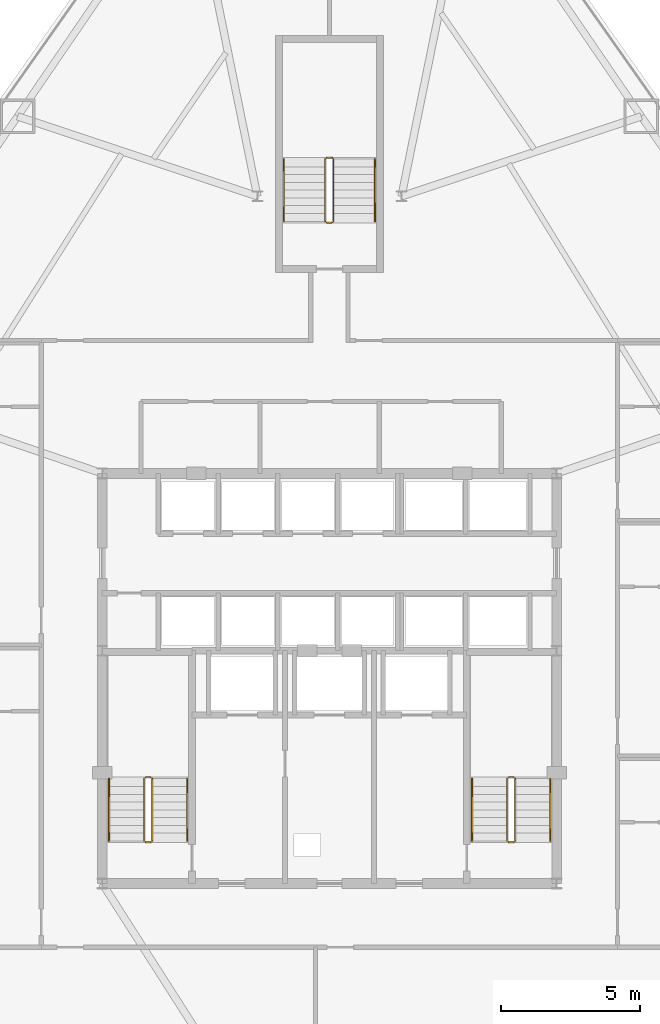
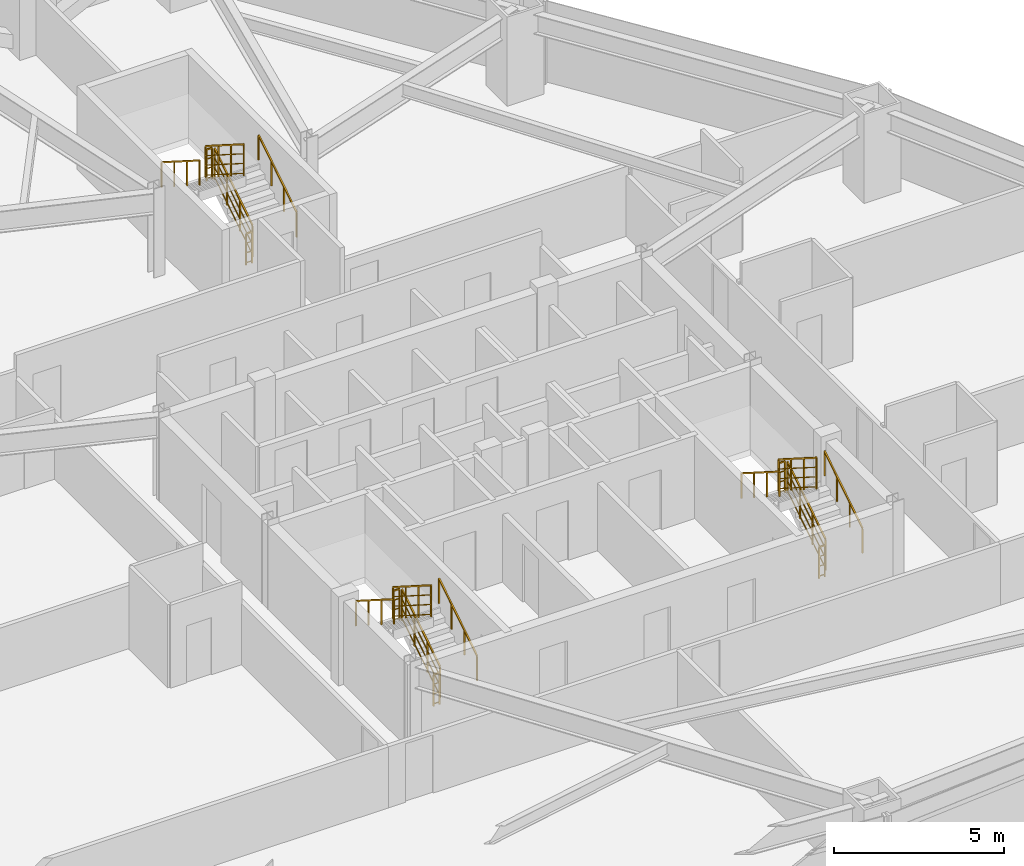
# One storey, part 12 of 12: 18 railings.
"""IFC4 building model written with IfcOpenShell, lengths in metres."""

from ifc_helpers import new_model, si_unit, direction, frame, origin, origin_2d, place, context, subcontext, project, spatial, rectangle, extrude, material, type_object, element, save


model = new_model("IFC4")

# Units and contexts
model_context = context("Model", 3, precision=1e-05, world=origin(), true_north=direction((0.0, 1.0)))
body_context = subcontext(model_context, "Body", "Model", "MODEL_VIEW")
ifc_project = project(units=[si_unit("LENGTHUNIT", "METRE"), si_unit("AREAUNIT", "SQUARE_METRE"), si_unit("VOLUMEUNIT", "CUBIC_METRE"), si_unit("PLANEANGLEUNIT", "RADIAN"), si_unit("MASSUNIT", "GRAM", prefix="KILO")], contexts=[model_context])

# Site, building, storey
site_placement = place(None, origin())
site = spatial("IfcSite", under=ifc_project, at=site_placement, CompositionType="ELEMENT")
building_placement = place(site_placement, origin())
building = spatial("IfcBuilding", under=site, at=building_placement, Name="Varakhsha Concourse Tower", CompositionType="ELEMENT")
storey_placement = place(building_placement, frame((0.0, 0.0, 43.199951171875)))
storey = spatial("IfcBuildingStorey", under=building, at=storey_placement, Name="L11", CompositionType="ELEMENT", Elevation=43.199951171875)

# Railings
ifc_material = material(Name="Brushed Austenitic Stainless Steel AISI 316", Category="steel")
railing_type_1 = type_object("IfcRailingType", Name="RL-STAIR-GUARD-1100", PredefinedType="GUARDRAIL", material=ifc_material)
railing_1_placement = place(storey_placement, frame((33.610107421875, 17.93994140625, 0.177734375)))
element("IfcRailing", 1, at=railing_1_placement, inside=storey, type_object=railing_type_1, Name="L11 ST1 stair guard 1", PredefinedType="GUARDRAIL", context=body_context, shape_type="SweptSolid", body=[
    extrude(rectangle(XDim=0.048095703125, YDim=0.048095703125, at=origin_2d()), frame((0.0, 0.0, 1.1259765625), z_axis=(0.0, 0.84418770128, 0.536047689118), x_axis=(-1.0, 0.0, 0.0)), (0.0, 0.0, 1.0), 2.6533203125),
    extrude(rectangle(XDim=0.028076171875, YDim=0.028076171875, at=origin_2d()), frame((0.0, 0.0, 0.080078125), z_axis=(0.0, 0.84418770128, 0.536047689118), x_axis=(-1.0, 0.0, 0.0)), (0.0, 0.0, 1.0), 2.6533203125),
    extrude(rectangle(XDim=0.028076171875, YDim=0.028076171875, at=origin_2d()), frame((0.0, 0.0, 0.43701171875), z_axis=(0.0, 0.84418770128, 0.536047689118), x_axis=(-1.0, 0.0, 0.0)), (0.0, 0.0, 1.0), 2.6533203125),
    extrude(rectangle(XDim=0.028076171875, YDim=0.028076171875, at=origin_2d()), frame((0.0, 0.0, 0.781982421875), z_axis=(0.0, 0.84418770128, 0.536047689118), x_axis=(-1.0, 0.0, 0.0)), (0.0, 0.0, 1.0), 2.6533203125),
    extrude(rectangle(XDim=0.0419921875, YDim=0.0419921875, at=origin_2d()), origin(), (0.0, 0.0, 1.0), 1.101806640625),
    extrude(rectangle(XDim=0.0419921875, YDim=0.0419921875, at=origin_2d()), frame((0.0, 0.74658203125, 0.47412109375)), (0.0, 0.0, 1.0), 1.101806640625),
    extrude(rectangle(XDim=0.0419921875, YDim=0.0419921875, at=origin_2d()), frame((0.0, 1.493408203125, 0.9482421875)), (0.0, 0.0, 1.0), 1.101806640625),
    extrude(rectangle(XDim=0.0419921875, YDim=0.0419921875, at=origin_2d()), frame((0.0, 2.239990234375, 1.42236328125)), (0.0, 0.0, 1.0), 1.101806640625),
])
railing_2_placement = place(storey_placement, frame((33.56005859375, 20.22998046875, 1.60009765625)))
element("IfcRailing", 2, at=railing_2_placement, inside=storey, type_object=railing_type_1, Name="L11 ST1 stair guard 2", PredefinedType="GUARDRAIL", context=body_context, shape_type="SweptSolid", body=[
    extrude(rectangle(XDim=0.048095703125, YDim=0.048095703125, at=origin_2d()), frame((0.0, 0.0, 1.1259765625), z_axis=(-1.0, 0.0, 0.0), x_axis=(0.0, -1.0, 0.0)), (0.0, 0.0, 1.0), 0.199951171875),
    extrude(rectangle(XDim=0.028076171875, YDim=0.028076171875, at=origin_2d()), frame((0.0, 0.0, 0.080078125), z_axis=(-1.0, 0.0, 0.0), x_axis=(0.0, -1.0, 0.0)), (0.0, 0.0, 1.0), 0.199951171875),
    extrude(rectangle(XDim=0.028076171875, YDim=0.028076171875, at=origin_2d()), frame((0.0, 0.0, 0.43701171875), z_axis=(-1.0, 0.0, 0.0), x_axis=(0.0, -1.0, 0.0)), (0.0, 0.0, 1.0), 0.199951171875),
    extrude(rectangle(XDim=0.028076171875, YDim=0.028076171875, at=origin_2d()), frame((0.0, 0.0, 0.781982421875), z_axis=(-1.0, 0.0, 0.0), x_axis=(0.0, -1.0, 0.0)), (0.0, 0.0, 1.0), 0.199951171875),
    extrude(rectangle(XDim=0.0419921875, YDim=0.0419921875, at=origin_2d()), origin(), (0.0, 0.0, 1.0), 1.101806640625),
    extrude(rectangle(XDim=0.0419921875, YDim=0.0419921875, at=origin_2d()), frame((-0.199951171875, 0.0, 0.0)), (0.0, 0.0, 1.0), 1.101806640625),
])
railing_3_placement = place(storey_placement, frame((33.31005859375, 20.179931640625, 1.77783203125)))
element("IfcRailing", 3, at=railing_3_placement, inside=storey, type_object=railing_type_1, Name="L11 ST1 stair guard 3", PredefinedType="GUARDRAIL", context=body_context, shape_type="SweptSolid", body=[
    extrude(rectangle(XDim=0.048095703125, YDim=0.048095703125, at=origin_2d()), frame((0.0, 0.0, 1.1259765625), z_axis=(0.0, -0.8442293374, 0.53598211339), x_axis=(1.0, 0.0, 0.0)), (0.0, 0.0, 1.0), 2.6533203125),
    extrude(rectangle(XDim=0.028076171875, YDim=0.028076171875, at=origin_2d()), frame((0.0, 0.0, 0.080078125), z_axis=(0.0, -0.8442293374, 0.53598211339), x_axis=(1.0, 0.0, 0.0)), (0.0, 0.0, 1.0), 2.6533203125),
    extrude(rectangle(XDim=0.028076171875, YDim=0.028076171875, at=origin_2d()), frame((0.0, 0.0, 0.43701171875), z_axis=(0.0, -0.8442293374, 0.53598211339), x_axis=(1.0, 0.0, 0.0)), (0.0, 0.0, 1.0), 2.6533203125),
    extrude(rectangle(XDim=0.028076171875, YDim=0.028076171875, at=origin_2d()), frame((0.0, 0.0, 0.781982421875), z_axis=(0.0, -0.8442293374, 0.53598211339), x_axis=(1.0, 0.0, 0.0)), (0.0, 0.0, 1.0), 2.6533203125),
    extrude(rectangle(XDim=0.0419921875, YDim=0.0419921875, at=origin_2d()), origin(), (0.0, 0.0, 1.0), 1.101806640625),
    extrude(rectangle(XDim=0.0419921875, YDim=0.0419921875, at=origin_2d()), frame((0.0, -0.74658203125, 0.47412109375)), (0.0, 0.0, 1.0), 1.101806640625),
    extrude(rectangle(XDim=0.0419921875, YDim=0.0419921875, at=origin_2d()), frame((0.0, -1.493408203125, 0.947998046875)), (0.0, 0.0, 1.0), 1.101806640625),
    extrude(rectangle(XDim=0.0419921875, YDim=0.0419921875, at=origin_2d()), frame((0.0, -2.239990234375, 1.422119140625)), (0.0, 0.0, 1.0), 1.101806640625),
])
railing_4_placement = place(storey_placement, frame((33.56005859375, 17.889892578125, 0.0)))
element("IfcRailing", 4, at=railing_4_placement, inside=storey, type_object=railing_type_1, Name="L11 ST1 stair guard 4", PredefinedType="GUARDRAIL", context=body_context, shape_type="SweptSolid", body=[
    extrude(rectangle(XDim=0.048095703125, YDim=0.048095703125, at=origin_2d()), frame((0.0, 0.0, 1.1259765625), z_axis=(-1.0, 0.0, 0.0), x_axis=(0.0, -1.0, 0.0)), (0.0, 0.0, 1.0), 0.199951171875),
    extrude(rectangle(XDim=0.028076171875, YDim=0.028076171875, at=origin_2d()), frame((0.0, 0.0, 0.080078125), z_axis=(-1.0, 0.0, 0.0), x_axis=(0.0, -1.0, 0.0)), (0.0, 0.0, 1.0), 0.199951171875),
    extrude(rectangle(XDim=0.028076171875, YDim=0.028076171875, at=origin_2d()), frame((0.0, 0.0, 0.43701171875), z_axis=(-1.0, 0.0, 0.0), x_axis=(0.0, -1.0, 0.0)), (0.0, 0.0, 1.0), 0.199951171875),
    extrude(rectangle(XDim=0.028076171875, YDim=0.028076171875, at=origin_2d()), frame((0.0, 0.0, 0.781982421875), z_axis=(-1.0, 0.0, 0.0), x_axis=(0.0, -1.0, 0.0)), (0.0, 0.0, 1.0), 0.199951171875),
    extrude(rectangle(XDim=0.0419921875, YDim=0.0419921875, at=origin_2d()), origin(), (0.0, 0.0, 1.0), 1.101806640625),
    extrude(rectangle(XDim=0.0419921875, YDim=0.0419921875, at=origin_2d()), frame((-0.199951171875, 0.0, 0.0)), (0.0, 0.0, 1.0), 1.101806640625),
])
railing_5_placement = place(storey_placement, frame((46.7099609375, 17.93994140625, 0.177734375)))
element("IfcRailing", 5, at=railing_5_placement, inside=storey, type_object=railing_type_1, Name="L11 ST2 stair guard 1", PredefinedType="GUARDRAIL", context=body_context, shape_type="SweptSolid", body=[
    extrude(rectangle(XDim=0.048095703125, YDim=0.048095703125, at=origin_2d()), frame((0.0, 0.0, 1.1259765625), z_axis=(0.0, 0.84418770128, 0.536047689118), x_axis=(-1.0, 0.0, 0.0)), (0.0, 0.0, 1.0), 2.6533203125),
    extrude(rectangle(XDim=0.028076171875, YDim=0.028076171875, at=origin_2d()), frame((0.0, 0.0, 0.080078125), z_axis=(0.0, 0.84418770128, 0.536047689118), x_axis=(-1.0, 0.0, 0.0)), (0.0, 0.0, 1.0), 2.6533203125),
    extrude(rectangle(XDim=0.028076171875, YDim=0.028076171875, at=origin_2d()), frame((0.0, 0.0, 0.43701171875), z_axis=(0.0, 0.84418770128, 0.536047689118), x_axis=(-1.0, 0.0, 0.0)), (0.0, 0.0, 1.0), 2.6533203125),
    extrude(rectangle(XDim=0.028076171875, YDim=0.028076171875, at=origin_2d()), frame((0.0, 0.0, 0.781982421875), z_axis=(0.0, 0.84418770128, 0.536047689118), x_axis=(-1.0, 0.0, 0.0)), (0.0, 0.0, 1.0), 2.6533203125),
    extrude(rectangle(XDim=0.0419921875, YDim=0.0419921875, at=origin_2d()), origin(), (0.0, 0.0, 1.0), 1.101806640625),
    extrude(rectangle(XDim=0.0419921875, YDim=0.0419921875, at=origin_2d()), frame((0.0, 0.74658203125, 0.47412109375)), (0.0, 0.0, 1.0), 1.101806640625),
    extrude(rectangle(XDim=0.0419921875, YDim=0.0419921875, at=origin_2d()), frame((0.0, 1.493408203125, 0.9482421875)), (0.0, 0.0, 1.0), 1.101806640625),
    extrude(rectangle(XDim=0.0419921875, YDim=0.0419921875, at=origin_2d()), frame((0.0, 2.239990234375, 1.42236328125)), (0.0, 0.0, 1.0), 1.101806640625),
])
railing_6_placement = place(storey_placement, frame((46.659912109375, 20.22998046875, 1.60009765625)))
element("IfcRailing", 6, at=railing_6_placement, inside=storey, type_object=railing_type_1, Name="L11 ST2 stair guard 2", PredefinedType="GUARDRAIL", context=body_context, shape_type="SweptSolid", body=[
    extrude(rectangle(XDim=0.048095703125, YDim=0.048095703125, at=origin_2d()), frame((0.0, 0.0, 1.1259765625), z_axis=(-1.0, 0.0, 0.0), x_axis=(0.0, -1.0, 0.0)), (0.0, 0.0, 1.0), 0.199951171875),
    extrude(rectangle(XDim=0.028076171875, YDim=0.028076171875, at=origin_2d()), frame((0.0, 0.0, 0.080078125), z_axis=(-1.0, 0.0, 0.0), x_axis=(0.0, -1.0, 0.0)), (0.0, 0.0, 1.0), 0.199951171875),
    extrude(rectangle(XDim=0.028076171875, YDim=0.028076171875, at=origin_2d()), frame((0.0, 0.0, 0.43701171875), z_axis=(-1.0, 0.0, 0.0), x_axis=(0.0, -1.0, 0.0)), (0.0, 0.0, 1.0), 0.199951171875),
    extrude(rectangle(XDim=0.028076171875, YDim=0.028076171875, at=origin_2d()), frame((0.0, 0.0, 0.781982421875), z_axis=(-1.0, 0.0, 0.0), x_axis=(0.0, -1.0, 0.0)), (0.0, 0.0, 1.0), 0.199951171875),
    extrude(rectangle(XDim=0.0419921875, YDim=0.0419921875, at=origin_2d()), origin(), (0.0, 0.0, 1.0), 1.101806640625),
    extrude(rectangle(XDim=0.0419921875, YDim=0.0419921875, at=origin_2d()), frame((-0.199951171875, 0.0, 0.0)), (0.0, 0.0, 1.0), 1.101806640625),
])
railing_7_placement = place(storey_placement, frame((46.409912109375, 20.179931640625, 1.77783203125)))
element("IfcRailing", 7, at=railing_7_placement, inside=storey, type_object=railing_type_1, Name="L11 ST2 stair guard 3", PredefinedType="GUARDRAIL", context=body_context, shape_type="SweptSolid", body=[
    extrude(rectangle(XDim=0.048095703125, YDim=0.048095703125, at=origin_2d()), frame((0.0, 0.0, 1.1259765625), z_axis=(0.0, -0.8442293374, 0.53598211339), x_axis=(1.0, 0.0, 0.0)), (0.0, 0.0, 1.0), 2.6533203125),
    extrude(rectangle(XDim=0.028076171875, YDim=0.028076171875, at=origin_2d()), frame((0.0, 0.0, 0.080078125), z_axis=(0.0, -0.8442293374, 0.53598211339), x_axis=(1.0, 0.0, 0.0)), (0.0, 0.0, 1.0), 2.6533203125),
    extrude(rectangle(XDim=0.028076171875, YDim=0.028076171875, at=origin_2d()), frame((0.0, 0.0, 0.43701171875), z_axis=(0.0, -0.8442293374, 0.53598211339), x_axis=(1.0, 0.0, 0.0)), (0.0, 0.0, 1.0), 2.6533203125),
    extrude(rectangle(XDim=0.028076171875, YDim=0.028076171875, at=origin_2d()), frame((0.0, 0.0, 0.781982421875), z_axis=(0.0, -0.8442293374, 0.53598211339), x_axis=(1.0, 0.0, 0.0)), (0.0, 0.0, 1.0), 2.6533203125),
    extrude(rectangle(XDim=0.0419921875, YDim=0.0419921875, at=origin_2d()), origin(), (0.0, 0.0, 1.0), 1.101806640625),
    extrude(rectangle(XDim=0.0419921875, YDim=0.0419921875, at=origin_2d()), frame((0.0, -0.74658203125, 0.47412109375)), (0.0, 0.0, 1.0), 1.101806640625),
    extrude(rectangle(XDim=0.0419921875, YDim=0.0419921875, at=origin_2d()), frame((0.0, -1.493408203125, 0.947998046875)), (0.0, 0.0, 1.0), 1.101806640625),
    extrude(rectangle(XDim=0.0419921875, YDim=0.0419921875, at=origin_2d()), frame((0.0, -2.239990234375, 1.422119140625)), (0.0, 0.0, 1.0), 1.101806640625),
])
railing_8_placement = place(storey_placement, frame((46.659912109375, 17.889892578125, 0.0)))
element("IfcRailing", 8, at=railing_8_placement, inside=storey, type_object=railing_type_1, Name="L11 ST2 stair guard 4", PredefinedType="GUARDRAIL", context=body_context, shape_type="SweptSolid", body=[
    extrude(rectangle(XDim=0.048095703125, YDim=0.048095703125, at=origin_2d()), frame((0.0, 0.0, 1.1259765625), z_axis=(-1.0, 0.0, 0.0), x_axis=(0.0, -1.0, 0.0)), (0.0, 0.0, 1.0), 0.199951171875),
    extrude(rectangle(XDim=0.028076171875, YDim=0.028076171875, at=origin_2d()), frame((0.0, 0.0, 0.080078125), z_axis=(-1.0, 0.0, 0.0), x_axis=(0.0, -1.0, 0.0)), (0.0, 0.0, 1.0), 0.199951171875),
    extrude(rectangle(XDim=0.028076171875, YDim=0.028076171875, at=origin_2d()), frame((0.0, 0.0, 0.43701171875), z_axis=(-1.0, 0.0, 0.0), x_axis=(0.0, -1.0, 0.0)), (0.0, 0.0, 1.0), 0.199951171875),
    extrude(rectangle(XDim=0.028076171875, YDim=0.028076171875, at=origin_2d()), frame((0.0, 0.0, 0.781982421875), z_axis=(-1.0, 0.0, 0.0), x_axis=(0.0, -1.0, 0.0)), (0.0, 0.0, 1.0), 0.199951171875),
    extrude(rectangle(XDim=0.0419921875, YDim=0.0419921875, at=origin_2d()), origin(), (0.0, 0.0, 1.0), 1.101806640625),
    extrude(rectangle(XDim=0.0419921875, YDim=0.0419921875, at=origin_2d()), frame((-0.199951171875, 0.0, 0.0)), (0.0, 0.0, 1.0), 1.101806640625),
])
railing_9_placement = place(storey_placement, frame((40.14990234375, 40.300048828125, 0.177734375)))
element("IfcRailing", 9, at=railing_9_placement, inside=storey, type_object=railing_type_1, Name="L11 ST5 stair guard 1", PredefinedType="GUARDRAIL", context=body_context, shape_type="SweptSolid", body=[
    extrude(rectangle(XDim=0.048095703125, YDim=0.048095703125, at=origin_2d()), frame((0.0, 0.0, 1.1259765625), z_axis=(0.0, 0.84418770128, 0.536047689118), x_axis=(-1.0, 0.0, 0.0)), (0.0, 0.0, 1.0), 2.6533203125),
    extrude(rectangle(XDim=0.028076171875, YDim=0.028076171875, at=origin_2d()), frame((0.0, 0.0, 0.080078125), z_axis=(0.0, 0.84418770128, 0.536047689118), x_axis=(-1.0, 0.0, 0.0)), (0.0, 0.0, 1.0), 2.6533203125),
    extrude(rectangle(XDim=0.028076171875, YDim=0.028076171875, at=origin_2d()), frame((0.0, 0.0, 0.43701171875), z_axis=(0.0, 0.84418770128, 0.536047689118), x_axis=(-1.0, 0.0, 0.0)), (0.0, 0.0, 1.0), 2.6533203125),
    extrude(rectangle(XDim=0.028076171875, YDim=0.028076171875, at=origin_2d()), frame((0.0, 0.0, 0.781982421875), z_axis=(0.0, 0.84418770128, 0.536047689118), x_axis=(-1.0, 0.0, 0.0)), (0.0, 0.0, 1.0), 2.6533203125),
    extrude(rectangle(XDim=0.0419921875, YDim=0.0419921875, at=origin_2d()), origin(), (0.0, 0.0, 1.0), 1.101806640625),
    extrude(rectangle(XDim=0.0419921875, YDim=0.0419921875, at=origin_2d()), frame((0.0, 0.74658203125, 0.47412109375)), (0.0, 0.0, 1.0), 1.101806640625),
    extrude(rectangle(XDim=0.0419921875, YDim=0.0419921875, at=origin_2d()), frame((0.0, 1.493408203125, 0.9482421875)), (0.0, 0.0, 1.0), 1.101806640625),
    extrude(rectangle(XDim=0.0419921875, YDim=0.0419921875, at=origin_2d()), frame((0.0, 2.239990234375, 1.42236328125)), (0.0, 0.0, 1.0), 1.101806640625),
])
railing_10_placement = place(storey_placement, frame((40.10009765625, 42.590087890625, 1.60009765625)))
element("IfcRailing", 10, at=railing_10_placement, inside=storey, type_object=railing_type_1, Name="L11 ST5 stair guard 2", PredefinedType="GUARDRAIL", context=body_context, shape_type="SweptSolid", body=[
    extrude(rectangle(XDim=0.048095703125, YDim=0.048095703125, at=origin_2d()), frame((0.0, 0.0, 1.1259765625), z_axis=(-1.0, 0.0, 0.0), x_axis=(0.0, -1.0, 0.0)), (0.0, 0.0, 1.0), 0.2001953125),
    extrude(rectangle(XDim=0.028076171875, YDim=0.028076171875, at=origin_2d()), frame((0.0, 0.0, 0.080078125), z_axis=(-1.0, 0.0, 0.0), x_axis=(0.0, -1.0, 0.0)), (0.0, 0.0, 1.0), 0.2001953125),
    extrude(rectangle(XDim=0.028076171875, YDim=0.028076171875, at=origin_2d()), frame((0.0, 0.0, 0.43701171875), z_axis=(-1.0, 0.0, 0.0), x_axis=(0.0, -1.0, 0.0)), (0.0, 0.0, 1.0), 0.2001953125),
    extrude(rectangle(XDim=0.028076171875, YDim=0.028076171875, at=origin_2d()), frame((0.0, 0.0, 0.781982421875), z_axis=(-1.0, 0.0, 0.0), x_axis=(0.0, -1.0, 0.0)), (0.0, 0.0, 1.0), 0.2001953125),
    extrude(rectangle(XDim=0.0419921875, YDim=0.0419921875, at=origin_2d()), origin(), (0.0, 0.0, 1.0), 1.101806640625),
    extrude(rectangle(XDim=0.0419921875, YDim=0.0419921875, at=origin_2d()), frame((-0.2001953125, 0.0, 0.0)), (0.0, 0.0, 1.0), 1.101806640625),
])
railing_11_placement = place(storey_placement, frame((39.85009765625, 42.5400390625, 1.77783203125)))
element("IfcRailing", 11, at=railing_11_placement, inside=storey, type_object=railing_type_1, Name="L11 ST5 stair guard 3", PredefinedType="GUARDRAIL", context=body_context, shape_type="SweptSolid", body=[
    extrude(rectangle(XDim=0.048095703125, YDim=0.048095703125, at=origin_2d()), frame((0.0, 0.0, 1.1259765625), z_axis=(0.0, -0.8442293374, 0.53598211339), x_axis=(1.0, 0.0, 0.0)), (0.0, 0.0, 1.0), 2.6533203125),
    extrude(rectangle(XDim=0.028076171875, YDim=0.028076171875, at=origin_2d()), frame((0.0, 0.0, 0.080078125), z_axis=(0.0, -0.8442293374, 0.53598211339), x_axis=(1.0, 0.0, 0.0)), (0.0, 0.0, 1.0), 2.6533203125),
    extrude(rectangle(XDim=0.028076171875, YDim=0.028076171875, at=origin_2d()), frame((0.0, 0.0, 0.43701171875), z_axis=(0.0, -0.8442293374, 0.53598211339), x_axis=(1.0, 0.0, 0.0)), (0.0, 0.0, 1.0), 2.6533203125),
    extrude(rectangle(XDim=0.028076171875, YDim=0.028076171875, at=origin_2d()), frame((0.0, 0.0, 0.781982421875), z_axis=(0.0, -0.8442293374, 0.53598211339), x_axis=(1.0, 0.0, 0.0)), (0.0, 0.0, 1.0), 2.6533203125),
    extrude(rectangle(XDim=0.0419921875, YDim=0.0419921875, at=origin_2d()), origin(), (0.0, 0.0, 1.0), 1.101806640625),
    extrude(rectangle(XDim=0.0419921875, YDim=0.0419921875, at=origin_2d()), frame((0.0, -0.74658203125, 0.47412109375)), (0.0, 0.0, 1.0), 1.101806640625),
    extrude(rectangle(XDim=0.0419921875, YDim=0.0419921875, at=origin_2d()), frame((0.0, -1.493408203125, 0.947998046875)), (0.0, 0.0, 1.0), 1.101806640625),
    extrude(rectangle(XDim=0.0419921875, YDim=0.0419921875, at=origin_2d()), frame((0.0, -2.239990234375, 1.422119140625)), (0.0, 0.0, 1.0), 1.101806640625),
])
railing_12_placement = place(storey_placement, frame((40.10009765625, 40.25, 0.0)))
element("IfcRailing", 12, at=railing_12_placement, inside=storey, type_object=railing_type_1, Name="L11 ST5 stair guard 4", PredefinedType="GUARDRAIL", context=body_context, shape_type="SweptSolid", body=[
    extrude(rectangle(XDim=0.048095703125, YDim=0.048095703125, at=origin_2d()), frame((0.0, 0.0, 1.1259765625), z_axis=(-1.0, 0.0, 0.0), x_axis=(0.0, -1.0, 0.0)), (0.0, 0.0, 1.0), 0.2001953125),
    extrude(rectangle(XDim=0.028076171875, YDim=0.028076171875, at=origin_2d()), frame((0.0, 0.0, 0.080078125), z_axis=(-1.0, 0.0, 0.0), x_axis=(0.0, -1.0, 0.0)), (0.0, 0.0, 1.0), 0.2001953125),
    extrude(rectangle(XDim=0.028076171875, YDim=0.028076171875, at=origin_2d()), frame((0.0, 0.0, 0.43701171875), z_axis=(-1.0, 0.0, 0.0), x_axis=(0.0, -1.0, 0.0)), (0.0, 0.0, 1.0), 0.2001953125),
    extrude(rectangle(XDim=0.028076171875, YDim=0.028076171875, at=origin_2d()), frame((0.0, 0.0, 0.781982421875), z_axis=(-1.0, 0.0, 0.0), x_axis=(0.0, -1.0, 0.0)), (0.0, 0.0, 1.0), 0.2001953125),
    extrude(rectangle(XDim=0.0419921875, YDim=0.0419921875, at=origin_2d()), origin(), (0.0, 0.0, 1.0), 1.101806640625),
    extrude(rectangle(XDim=0.0419921875, YDim=0.0419921875, at=origin_2d()), frame((-0.2001953125, 0.0, 0.0)), (0.0, 0.0, 1.0), 1.101806640625),
])
railing_type_2 = type_object("IfcRailingType", Name="RL-STAIR-RAIL-915", PredefinedType="HANDRAIL", material=ifc_material)
railing_13_placement = place(storey_placement, frame((34.8701171875, 17.93994140625, 0.355712890625)))
element("IfcRailing", 13, at=railing_13_placement, inside=storey, type_object=railing_type_2, Name="L11 ST1 stair handrail 1", PredefinedType="HANDRAIL", context=body_context, shape_type="SweptSolid", body=[
    extrude(rectangle(XDim=0.048095703125, YDim=0.048095703125, at=origin_2d()), frame((0.0, 0.0, 0.89111328125), z_axis=(0.0, 0.8442293374, 0.53598211339), x_axis=(-1.0, 0.0, 0.0)), (0.0, 0.0, 1.0), 2.6533203125),
    extrude(rectangle(XDim=0.0419921875, YDim=0.0419921875, at=origin_2d()), origin(), (0.0, 0.0, 1.0), 0.866943359375),
    extrude(rectangle(XDim=0.0419921875, YDim=0.0419921875, at=origin_2d()), frame((0.0, 0.74658203125, 0.47412109375)), (0.0, 0.0, 1.0), 0.866943359375),
    extrude(rectangle(XDim=0.0419921875, YDim=0.0419921875, at=origin_2d()), frame((0.0, 1.493408203125, 0.947998046875)), (0.0, 0.0, 1.0), 0.866943359375),
    extrude(rectangle(XDim=0.0419921875, YDim=0.0419921875, at=origin_2d()), frame((0.0, 2.239990234375, 1.422119140625)), (0.0, 0.0, 1.0), 0.866943359375),
])
railing_14_placement = place(storey_placement, frame((32.050048828125, 20.179931640625, 1.95556640625)))
element("IfcRailing", 14, at=railing_14_placement, inside=storey, type_object=railing_type_2, Name="L11 ST1 stair handrail 2", PredefinedType="HANDRAIL", context=body_context, shape_type="SweptSolid", body=[
    extrude(rectangle(XDim=0.048095703125, YDim=0.048095703125, at=origin_2d()), frame((0.0, 0.0, 0.89111328125), z_axis=(0.0, -0.84418770128, 0.536047689118), x_axis=(1.0, 0.0, 0.0)), (0.0, 0.0, 1.0), 2.6533203125),
    extrude(rectangle(XDim=0.0419921875, YDim=0.0419921875, at=origin_2d()), origin(), (0.0, 0.0, 1.0), 0.866943359375),
    extrude(rectangle(XDim=0.0419921875, YDim=0.0419921875, at=origin_2d()), frame((0.0, -0.74658203125, 0.47412109375)), (0.0, 0.0, 1.0), 0.866943359375),
    extrude(rectangle(XDim=0.0419921875, YDim=0.0419921875, at=origin_2d()), frame((0.0, -1.493408203125, 0.9482421875)), (0.0, 0.0, 1.0), 0.866943359375),
    extrude(rectangle(XDim=0.0419921875, YDim=0.0419921875, at=origin_2d()), frame((0.0, -2.239990234375, 1.42236328125)), (0.0, 0.0, 1.0), 0.866943359375),
])
railing_15_placement = place(storey_placement, frame((47.969970703125, 17.93994140625, 0.355712890625)))
element("IfcRailing", 15, at=railing_15_placement, inside=storey, type_object=railing_type_2, Name="L11 ST2 stair handrail 1", PredefinedType="HANDRAIL", context=body_context, shape_type="SweptSolid", body=[
    extrude(rectangle(XDim=0.048095703125, YDim=0.048095703125, at=origin_2d()), frame((0.0, 0.0, 0.89111328125), z_axis=(0.0, 0.8442293374, 0.53598211339), x_axis=(-1.0, 0.0, 0.0)), (0.0, 0.0, 1.0), 2.6533203125),
    extrude(rectangle(XDim=0.0419921875, YDim=0.0419921875, at=origin_2d()), origin(), (0.0, 0.0, 1.0), 0.866943359375),
    extrude(rectangle(XDim=0.0419921875, YDim=0.0419921875, at=origin_2d()), frame((0.0, 0.74658203125, 0.47412109375)), (0.0, 0.0, 1.0), 0.866943359375),
    extrude(rectangle(XDim=0.0419921875, YDim=0.0419921875, at=origin_2d()), frame((0.0, 1.493408203125, 0.947998046875)), (0.0, 0.0, 1.0), 0.866943359375),
    extrude(rectangle(XDim=0.0419921875, YDim=0.0419921875, at=origin_2d()), frame((0.0, 2.239990234375, 1.422119140625)), (0.0, 0.0, 1.0), 0.866943359375),
])
railing_16_placement = place(storey_placement, frame((45.14990234375, 20.179931640625, 1.95556640625)))
element("IfcRailing", 16, at=railing_16_placement, inside=storey, type_object=railing_type_2, Name="L11 ST2 stair handrail 2", PredefinedType="HANDRAIL", context=body_context, shape_type="SweptSolid", body=[
    extrude(rectangle(XDim=0.048095703125, YDim=0.048095703125, at=origin_2d()), frame((0.0, 0.0, 0.89111328125), z_axis=(0.0, -0.84418770128, 0.536047689118), x_axis=(1.0, 0.0, 0.0)), (0.0, 0.0, 1.0), 2.6533203125),
    extrude(rectangle(XDim=0.0419921875, YDim=0.0419921875, at=origin_2d()), origin(), (0.0, 0.0, 1.0), 0.866943359375),
    extrude(rectangle(XDim=0.0419921875, YDim=0.0419921875, at=origin_2d()), frame((0.0, -0.74658203125, 0.47412109375)), (0.0, 0.0, 1.0), 0.866943359375),
    extrude(rectangle(XDim=0.0419921875, YDim=0.0419921875, at=origin_2d()), frame((0.0, -1.493408203125, 0.9482421875)), (0.0, 0.0, 1.0), 0.866943359375),
    extrude(rectangle(XDim=0.0419921875, YDim=0.0419921875, at=origin_2d()), frame((0.0, -2.239990234375, 1.42236328125)), (0.0, 0.0, 1.0), 0.866943359375),
])
railing_17_placement = place(storey_placement, frame((41.64990234375, 40.300048828125, 0.355712890625)))
element("IfcRailing", 17, at=railing_17_placement, inside=storey, type_object=railing_type_2, Name="L11 ST5 stair handrail 1", PredefinedType="HANDRAIL", context=body_context, shape_type="SweptSolid", body=[
    extrude(rectangle(XDim=0.048095703125, YDim=0.048095703125, at=origin_2d()), frame((0.0, 0.0, 0.89111328125), z_axis=(0.0, 0.8442293374, 0.53598211339), x_axis=(-1.0, 0.0, 0.0)), (0.0, 0.0, 1.0), 2.6533203125),
    extrude(rectangle(XDim=0.0419921875, YDim=0.0419921875, at=origin_2d()), origin(), (0.0, 0.0, 1.0), 0.866943359375),
    extrude(rectangle(XDim=0.0419921875, YDim=0.0419921875, at=origin_2d()), frame((0.0, 0.74658203125, 0.47412109375)), (0.0, 0.0, 1.0), 0.866943359375),
    extrude(rectangle(XDim=0.0419921875, YDim=0.0419921875, at=origin_2d()), frame((0.0, 1.493408203125, 0.947998046875)), (0.0, 0.0, 1.0), 0.866943359375),
    extrude(rectangle(XDim=0.0419921875, YDim=0.0419921875, at=origin_2d()), frame((0.0, 2.239990234375, 1.422119140625)), (0.0, 0.0, 1.0), 0.866943359375),
])
railing_18_placement = place(storey_placement, frame((38.35009765625, 42.5400390625, 1.95556640625)))
element("IfcRailing", 18, at=railing_18_placement, inside=storey, type_object=railing_type_2, Name="L11 ST5 stair handrail 2", PredefinedType="HANDRAIL", context=body_context, shape_type="SweptSolid", body=[
    extrude(rectangle(XDim=0.048095703125, YDim=0.048095703125, at=origin_2d()), frame((0.0, 0.0, 0.89111328125), z_axis=(0.0, -0.84418770128, 0.536047689118), x_axis=(1.0, 0.0, 0.0)), (0.0, 0.0, 1.0), 2.6533203125),
    extrude(rectangle(XDim=0.0419921875, YDim=0.0419921875, at=origin_2d()), origin(), (0.0, 0.0, 1.0), 0.866943359375),
    extrude(rectangle(XDim=0.0419921875, YDim=0.0419921875, at=origin_2d()), frame((0.0, -0.74658203125, 0.47412109375)), (0.0, 0.0, 1.0), 0.866943359375),
    extrude(rectangle(XDim=0.0419921875, YDim=0.0419921875, at=origin_2d()), frame((0.0, -1.493408203125, 0.9482421875)), (0.0, 0.0, 1.0), 0.866943359375),
    extrude(rectangle(XDim=0.0419921875, YDim=0.0419921875, at=origin_2d()), frame((0.0, -2.239990234375, 1.42236328125)), (0.0, 0.0, 1.0), 0.866943359375),
])

save(model, "model.ifc")
